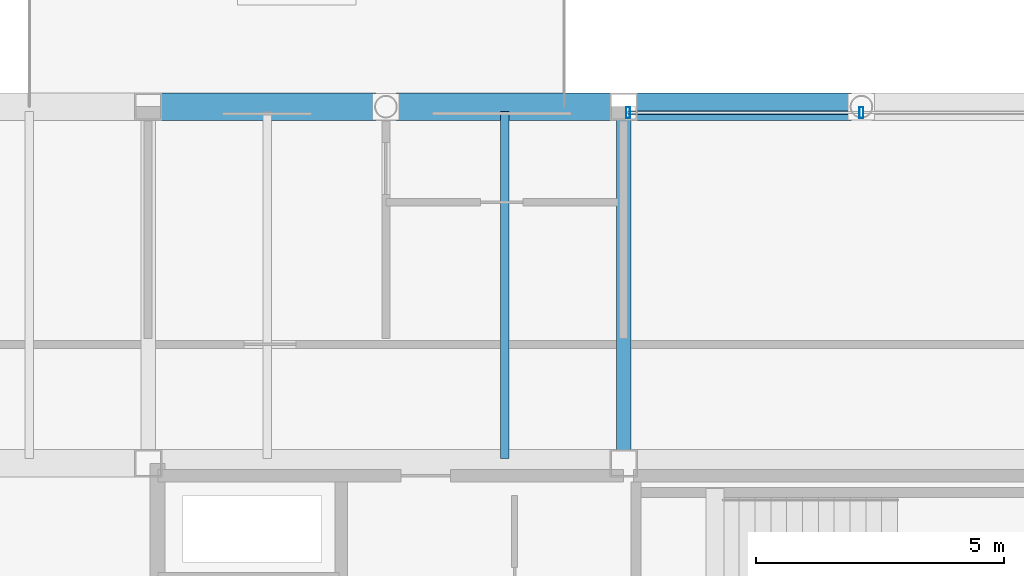
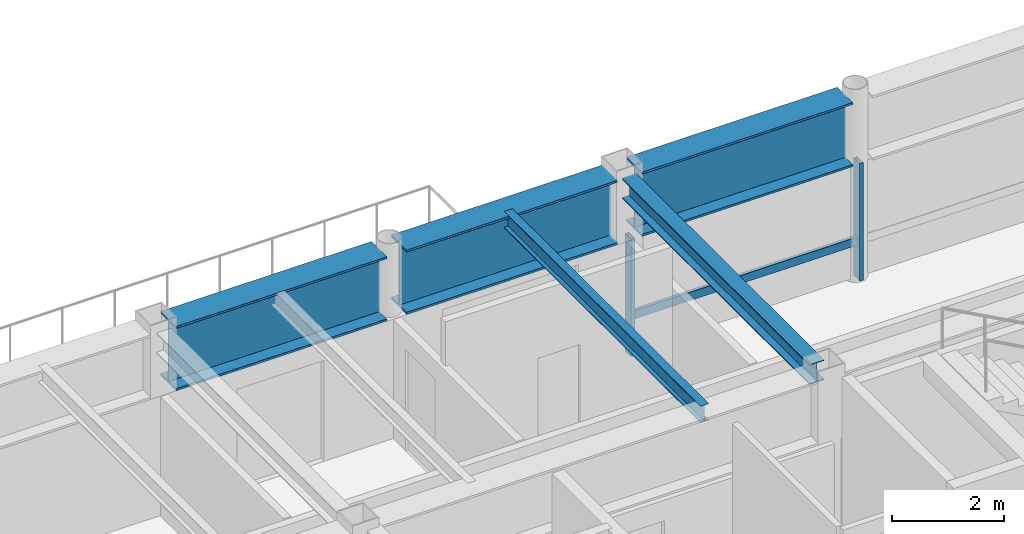
# One storey, part 13 of 23: 5 beams, 3 members, 1 element without a shape of its own.
"""IFC4 building model written with IfcOpenShell, lengths in metres."""

from ifc_helpers import new_model, si_unit, direction, frame, origin, origin_2d, place, context, subcontext, project, spatial, hollow_rectangle, i_section, extrude, material, layer, layer_set, material_profile, profile_set, type_object, element, aggregate, save


model = new_model("IFC4")

# Units and contexts
model_context = context("Model", 3, precision=1e-05, world=origin(), true_north=direction((0.0, 1.0)))
body_context = subcontext(model_context, "Body", "Model", "MODEL_VIEW")
ifc_project = project(units=[si_unit("LENGTHUNIT", "METRE"), si_unit("AREAUNIT", "SQUARE_METRE"), si_unit("VOLUMEUNIT", "CUBIC_METRE"), si_unit("PLANEANGLEUNIT", "RADIAN"), si_unit("MASSUNIT", "GRAM", prefix="KILO")], contexts=[model_context])

# Site, building, storey
site_placement = place(None, origin())
site = spatial("IfcSite", under=ifc_project, at=site_placement, CompositionType="ELEMENT")
building_placement = place(site_placement, origin())
building = spatial("IfcBuilding", under=site, at=building_placement, Name="Kallvorn Hotel Tower", CompositionType="ELEMENT")
storey_placement = place(building_placement, frame((0.0, 0.0, 282.199951171875)))
storey = spatial("IfcBuildingStorey", under=building, at=storey_placement, Name="L70", CompositionType="ELEMENT", Elevation=282.199951171875)

# Beams
ifc_material_1 = material(Name="Structural steel S355JR", Category="steel")
ifc_material_profile_1 = material_profile(ifc_material_1, i_section(OverallWidth=0.300048828125, OverallDepth=0.43994140625, WebThickness=0.011474609375, FlangeThickness=0.02099609375, at=origin_2d()), Name="HE 450 A")
ifc_profile_set_1 = profile_set([ifc_material_profile_1], Name="Structural steel S355JR")
beam_type_1 = type_object("IfcBeamType", Name="BM_HE450A", PredefinedType="BEAM", material=ifc_profile_set_1)
beam_1_placement = place(storey_placement, frame((-4.800048828125, 7.449951171875, 3.780029296875), z_axis=(0.0, 1.0, 0.0), x_axis=(-1.0, 0.0, 0.0)))
element("IfcBeam", 1, at=beam_1_placement, inside=storey, type_object=beam_type_1, Name="L71 Primary Y-Girder 39", PredefinedType="BEAM", context=body_context, shape_type="SweptSolid", body=[
    extrude(i_section(OverallWidth=0.300048828125, OverallDepth=0.43994140625, WebThickness=0.011474609375, FlangeThickness=0.02099609375, at=origin_2d()), origin(), (0.0, 0.0, 1.0), 6.699951171875),
])
ifc_material_2 = material(Name="Structural steel S355JR", Category="steel")
ifc_material_profile_2 = material_profile(ifc_material_2, i_section(OverallWidth=0.169921875, OverallDepth=0.360107421875, WebThickness=0.008056640625, FlangeThickness=0.0126953125, at=origin_2d()), Name="IPE 360")
ifc_profile_set_2 = profile_set([ifc_material_profile_2], Name="Structural steel S355JR")
beam_type_2 = type_object("IfcBeamType", Name="BM_IPE360", PredefinedType="JOIST", material=ifc_profile_set_2)
beam_2_placement = place(storey_placement, frame((-7.199951171875, 7.300048828125, 3.820068359375), z_axis=(0.0, 1.0, 0.0), x_axis=(-1.0, 0.0, 0.0)))
element("IfcBeam", 2, at=beam_2_placement, inside=storey, type_object=beam_type_2, Name="L71 Secondary Composite Joist 97", PredefinedType="JOIST", context=body_context, shape_type="SweptSolid", body=[
    extrude(i_section(OverallWidth=0.169921875, OverallDepth=0.360107421875, WebThickness=0.008056640625, FlangeThickness=0.0126953125, at=origin_2d()), origin(), (0.0, 0.0, 1.0), 7.0),
])
ifc_material_3 = material(Name="Structural steel S355JR", Category="steel")
ifc_material_profile_3 = material_profile(ifc_material_3, i_section(OverallWidth=0.550048828125, OverallDepth=1.39990234375, WebThickness=0.02490234375, FlangeThickness=0.044921875, at=origin_2d()), Name="PG 1400x550x25x45")
ifc_profile_set_3 = profile_set([ifc_material_profile_3], Name="Structural steel S355JR")
beam_type_3 = type_object("IfcBeamType", Name="BM_PG_1400", PredefinedType="BEAM", material=ifc_profile_set_3)
for number, where, z_axis, x_axis, name in (
    (3, (-14.14990234375, 14.39990234375, 3.300048828125), (1.0, 0.0, 0.0), (0.0, 1.0, 0.0), "L71 Primary X-Girder 18"),
    (4, (-9.396484375, 14.39990234375, 3.300048828125), (1.0, 0.0, 0.0), (0.0, 1.0, 0.0), "L71 Primary X-Girder 19"),
    (5, (-4.550048828125, 14.39990234375, 3.300048828125), (1.0, 0.0, 0.0), (0.0, 1.0, 0.0), "L71 Primary X-Girder 20"),
):
    element("IfcBeam", number, at=place(storey_placement, frame(where, z_axis=z_axis, x_axis=x_axis)), inside=storey, type_object=beam_type_3, Name=name, PredefinedType="BEAM", context=body_context, shape_type="SweptSolid", body=[
        extrude(i_section(OverallWidth=0.550048828125, OverallDepth=1.39990234375, WebThickness=0.02490234375, FlangeThickness=0.044921875, at=origin_2d()), origin(), (0.0, 0.0, 1.0), 4.346435546875),
    ])

# Curtain wall, members
ifc_material_4 = material(Name="Thermally broken black-anodised aluminium AA 6063-T6", Category="aluminium")
ifc_layer = layer(ifc_material_4, 0.25)
ifc_layer_set = layer_set([ifc_layer], Name="CW_SYS_6_SUMMIT_OBS")
curtain_wall_type = type_object("IfcCurtainWallType", Name="CW_SYS_6_SUMMIT_OBS", PredefinedType="USERDEFINED", material=ifc_layer_set)
curtain_wall_placement = place(storey_placement, origin())
curtain_wall = element("IfcCurtainWall", 6, at=curtain_wall_placement, inside=storey, type_object=curtain_wall_type, Name="L70 Dark-Glass Curtain Wall CW-L70-NC", ObjectType="UNITISED CURTAIN WALL", PredefinedType="USERDEFINED")
ifc_material_5 = material(Name="Thermally broken black-anodised aluminium AA 6063-T6", Category="aluminium")
ifc_material_profile_4 = material_profile(ifc_material_5, hollow_rectangle(XDim=0.080078125, YDim=0.219970703125, WallThickness=0.0048828125, at=origin_2d()), Name="MUL 220x80")
ifc_profile_set_4 = profile_set([ifc_material_profile_4], Name="Thermally broken black-anodised aluminium AA 6063-T6")
member_type_1 = type_object("IfcMemberType", Name="CW_MULLION_220x80", PredefinedType="MULLION", material=ifc_profile_set_4)
member_1_placement = place(storey_placement, frame((-4.7099609375, 14.280029296875, 0.02001953125), z_axis=(0.0, 0.0, 1.0), x_axis=(1.0, 0.0, 0.0)))
member_1 = element("IfcMember", 7, at=member_1_placement, type_object=member_type_1, Name="CW-L70-NC Mullion 00", PredefinedType="MULLION", context=body_context, shape_type="SweptSolid", body=[
    extrude(hollow_rectangle(XDim=0.080078125, YDim=0.219970703125, WallThickness=0.0048828125, at=origin_2d()), origin(), (0.0, 0.0, 1.0), 2.56005859375),
])
member_2_placement = place(storey_placement, frame((0.0, 14.280029296875, 0.02001953125), z_axis=(0.0, 0.0, 1.0), x_axis=(1.0, 0.0, 0.0)))
member_2 = element("IfcMember", 8, at=member_2_placement, type_object=member_type_1, Name="CW-L70-NC Mullion 01", PredefinedType="MULLION", context=body_context, shape_type="SweptSolid", body=[
    extrude(hollow_rectangle(XDim=0.080078125, YDim=0.219970703125, WallThickness=0.0048828125, at=origin_2d()), origin(), (0.0, 0.0, 1.0), 2.56005859375),
])
ifc_material_6 = material(Name="Thermally broken black-anodised aluminium AA 6063-T6", Category="aluminium")
ifc_material_profile_5 = material_profile(ifc_material_6, hollow_rectangle(XDim=0.070068359375, YDim=0.179931640625, WallThickness=0.00390625, at=origin_2d()), Name="TRN 180x70")
ifc_profile_set_5 = profile_set([ifc_material_profile_5], Name="Thermally broken black-anodised aluminium AA 6063-T6")
member_type_2 = type_object("IfcMemberType", Name="CW_TRANSOM_180x70", PredefinedType="USERDEFINED", material=ifc_profile_set_5)
member_3_placement = place(storey_placement, frame((-4.7099609375, 14.280029296875, 0.85009765625), z_axis=(1.0, 0.0, 0.0), x_axis=(0.0, 1.0, 0.0)))
member_3 = element("IfcMember", 9, at=member_3_placement, type_object=member_type_2, Name="CW-L70-NC Transom 00M", ObjectType="TRANSOM", PredefinedType="USERDEFINED", context=body_context, shape_type="SweptSolid", body=[
    extrude(hollow_rectangle(XDim=0.070068359375, YDim=0.179931640625, WallThickness=0.00390625, at=origin_2d()), origin(), (0.0, 0.0, 1.0), 4.669921875),
])
aggregate(curtain_wall, [member_1, member_2, member_3])

save(model, "model.ifc")
